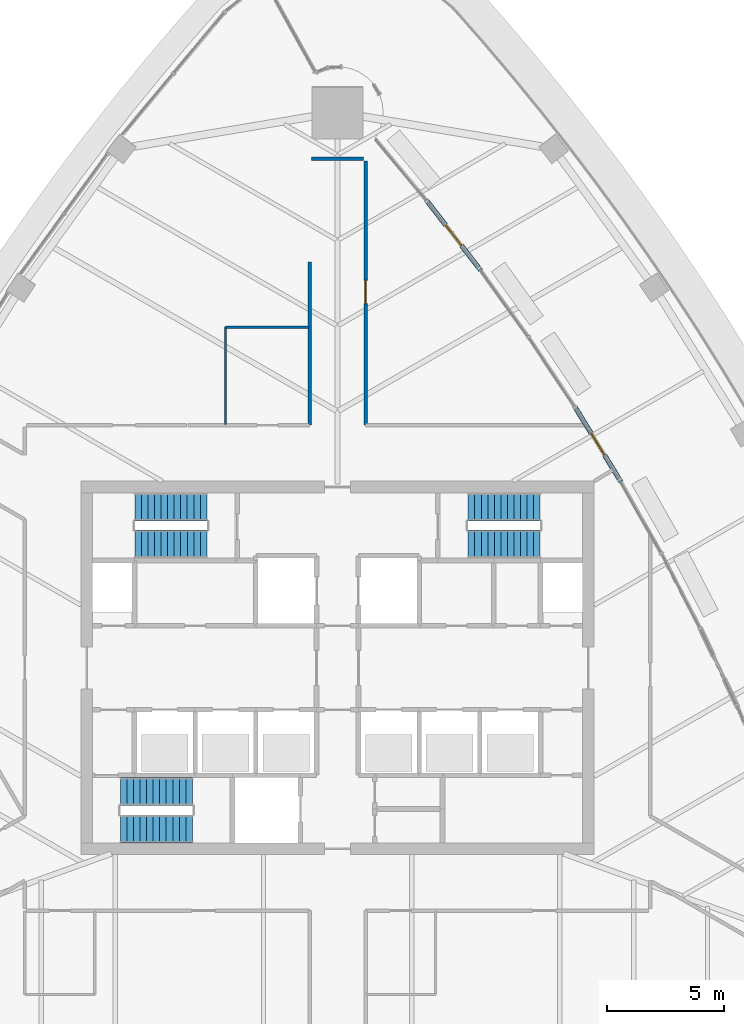
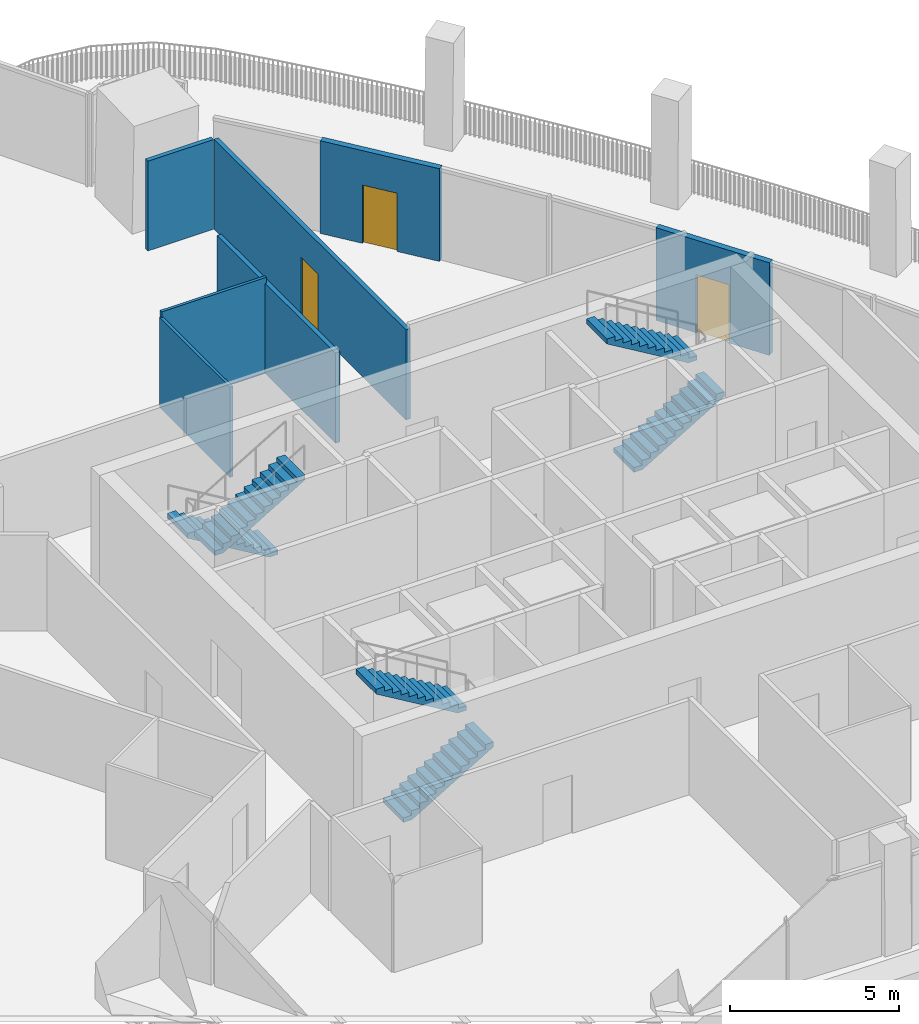
# One storey, part 13 of 18: 7 walls, 6 stair flights, 3 doors, 3 openings, 3 elements without a shape of their own.
"""IFC4 building model written with IfcOpenShell, lengths in metres."""

from ifc_helpers import new_model, si_unit, direction, frame, frame_2d, origin, place, context, subcontext, project, spatial, polyline, rectangle, outline, extrude, material, layer, layer_set, type_object, element, fill, aggregate, save


model = new_model("IFC4")

# Units and contexts
model_context = context("Model", 3, precision=1e-05, world=origin(), true_north=direction((0.0, 1.0)))
body_context = subcontext(model_context, "Body", "Model", "MODEL_VIEW")
ifc_project = project(units=[si_unit("LENGTHUNIT", "METRE"), si_unit("AREAUNIT", "SQUARE_METRE"), si_unit("VOLUMEUNIT", "CUBIC_METRE"), si_unit("PLANEANGLEUNIT", "RADIAN"), si_unit("MASSUNIT", "GRAM", prefix="KILO")], contexts=[model_context])

# Site, building, storey
site_placement = place(None, origin())
site = spatial("IfcSite", under=ifc_project, at=site_placement, CompositionType="ELEMENT")
building_placement = place(site_placement, origin())
building = spatial("IfcBuilding", under=site, at=building_placement, Name="Sierra Prisma Convention Tower", CompositionType="ELEMENT")
storey_placement = place(building_placement, frame((0.0, 0.0, 291.0)))
storey = spatial("IfcBuildingStorey", under=building, at=storey_placement, Name="L66", CompositionType="ELEMENT", Elevation=291.0)

# Walls
ifc_material_1 = material(Name="Gypsum board partition", Category="gypsum")
ifc_layer_1 = layer(ifc_material_1, 0.10009765625)
ifc_layer_set_1 = layer_set([ifc_layer_1], Name="Bathroom partition 100")
wall_type_1 = type_object("IfcWallType", Name="Bathroom partition 100", PredefinedType="PARTITIONING", material=ifc_layer_set_1)
wall_1_placement = place(storey_placement, frame((-4.800048828125, 10.429931640625, 0.0), z_axis=(0.0, 0.0, 1.0), x_axis=(0.0, 1.0, 0.0)))
element("IfcWall", 1, at=wall_1_placement, inside=storey, type_object=wall_type_1, Name="Partition L66 bath 6", PredefinedType="PARTITIONING", context=body_context, shape_type="SweptSolid", body=[
    extrude(rectangle(XDim=4.170166015625, YDim=0.10009765625, at=frame_2d((2.0849609375, 0.0))), origin(), (0.0, 0.0, 1.0), 3.2470703125),
])
wall_2_placement = place(storey_placement, frame((-4.800048828125, 14.60009765625, 0.0), z_axis=(0.0, 0.0, 1.0), x_axis=(1.0, 0.0, 0.0)))
element("IfcWall", 2, at=wall_2_placement, inside=storey, type_object=wall_type_1, Name="Partition L66 bath 7", PredefinedType="PARTITIONING", context=body_context, shape_type="SweptSolid", body=[
    extrude(rectangle(XDim=3.570068359375, YDim=0.10009765625, at=frame_2d((1.78515625, 0.0))), origin(), (0.0, 0.0, 1.0), 3.449951171875),
])
ifc_material_2 = material(Name="Gypsum board partition", Category="gypsum")
ifc_layer_2 = layer(ifc_material_2, 0.14990234375)
ifc_layer_set_2 = layer_set([ifc_layer_2], Name="Corridor wall 150 gypsum EI 60")
wall_type_2 = type_object("IfcWallType", Name="Corridor wall 150 gypsum EI 60", PredefinedType="PARTITIONING", material=ifc_layer_set_2)
wall_3_placement = place(storey_placement, frame((-1.199951171875, 17.39990234375, 0.0), z_axis=(0.0, 0.0, 1.0), x_axis=(0.0, -1.0, 0.0)))
element("IfcWall", 3, at=wall_3_placement, inside=storey, type_object=wall_type_2, Name="Partition L66 corr 13", PredefinedType="PARTITIONING", context=body_context, shape_type="SweptSolid", body=[
    extrude(rectangle(XDim=7.0, YDim=0.14990234375, at=frame_2d((3.5, 0.0))), origin(), (0.0, 0.0, 1.0), 3.2470703125),
])
wall_4_placement = place(storey_placement, frame((1.1201171875, 21.8125, 0.0), z_axis=(0.0, 0.0, 1.0), x_axis=(-1.0, 0.0, 0.0)))
element("IfcWall", 4, at=wall_4_placement, inside=storey, type_object=wall_type_2, Name="Partition L66 corr 16", PredefinedType="PARTITIONING", context=body_context, shape_type="SweptSolid", body=[
    extrude(rectangle(XDim=2.240234375, YDim=0.14990234375, at=frame_2d((1.1201171875, 0.0))), origin(), (0.0, 0.0, 1.0), 3.23291015625),
])

# Wall, opening, door
wall_5_placement = place(storey_placement, frame((1.199951171875, 10.39990234375, 0.0), z_axis=(0.0, 0.0, 1.0), x_axis=(0.0, 1.0, 0.0)))
wall_5 = element("IfcWall", 5, at=wall_5_placement, inside=storey, type_object=wall_type_2, Name="Partition L66 corr 20", PredefinedType="PARTITIONING", context=body_context, shape_type="SweptSolid", body=[
    extrude(rectangle(XDim=11.33251953125, YDim=0.14990234375, at=frame_2d((5.666259765625, 0.0))), origin(), (0.0, 0.0, 1.0), 3.2470703125),
])
opening_1_placement = place(wall_5_placement, frame((5.206298828125, 0.0, 0.0)))
opening_1 = element("IfcOpeningElement", 6, at=opening_1_placement, cuts=wall_5, Name="Opening L66-D030", PredefinedType="OPENING", context=body_context, shape_type="SweptSolid", body=[
    extrude(rectangle(XDim=1.0, YDim=2.10009765625, at=frame_2d((0.5, 1.050048828125))), frame((0.0, 0.074951171875, 0.0), z_axis=(0.0, -1.0, 0.0), x_axis=(1.0, 0.0, 0.0)), (0.0, 0.0, 1.0), 0.14990234375),
])
ifc_material_3 = material(Name="Steel fire door leaf", Category="steel")
door_type_1 = type_object("IfcDoorType", Name="Door 1000x2100 FD30S", OperationType="SINGLE_SWING_LEFT", PredefinedType="DOOR", material=ifc_material_3)
door_1_placement = place(opening_1_placement, origin())
door_1 = element("IfcDoor", 7, at=door_1_placement, inside=storey, type_object=door_type_1, Name="Door L66 1", OperationType="SINGLE_SWING_RIGHT", OverallHeight=2.10009765625, OverallWidth=1.0, PredefinedType="DOOR", context=body_context, shape_type="SweptSolid", body=[
    extrude(rectangle(XDim=1.0, YDim=2.10009765625, at=frame_2d((0.5, 1.050048828125))), frame((0.0, 0.02490234375, 0.0), z_axis=(0.0, -1.0, 0.0), x_axis=(1.0, 0.0, 0.0)), (0.0, 0.0, 1.0), 0.050048828125),
])
fill(opening_1, door_1)

ifc_material_4 = material(Name="Precast concrete C40/50", Category="concrete")
ifc_layer_3 = layer(ifc_material_4, 0.199951171875)
ifc_layer_set_3 = layer_set([ifc_layer_3], Name="Terrace door pier")
wall_type_3 = type_object("IfcWallType", Name="Terrace door pier", PredefinedType="SOLIDWALL", material=ifc_layer_set_3)
wall_6_placement = place(storey_placement, frame((12.1533203125, 7.96044921875, 0.0), z_axis=(0.0, 0.0, 1.0), x_axis=(-0.523170739685, 0.852227890378, 0.0)))
wall_6 = element("IfcWall", 8, at=wall_6_placement, inside=storey, type_object=wall_type_3, Name="Terrace door bay L66.6", PredefinedType="SOLIDWALL", context=body_context, shape_type="SweptSolid", body=[
    extrude(rectangle(XDim=3.808349609375, YDim=0.199951171875, at=frame_2d((1.904296875, 0.0))), origin(), (0.0, 0.0, 1.0), 3.340087890625),
])
opening_2_placement = place(wall_6_placement, frame((1.354248046875, 0.0, 0.0)))
opening_2 = element("IfcOpeningElement", 9, at=opening_2_placement, cuts=wall_6, Name="Opening L66-D002", PredefinedType="OPENING", context=body_context, shape_type="SweptSolid", body=[
    extrude(rectangle(XDim=1.10009765625, YDim=2.10009765625, at=frame_2d((0.550048828125, 1.050048828125))), frame((0.0, 0.10009765625, 0.0), z_axis=(0.0, -1.0, 0.0), x_axis=(1.0, 0.0, 0.0)), (0.0, 0.0, 1.0), 0.199951171875),
])
ifc_material_5 = material(Name="Bronze anodised aluminium and glass", Category="aluminium")
door_type_2 = type_object("IfcDoorType", Name="Terrace door 1100 x 2100", OperationType="SINGLE_SWING_LEFT", PredefinedType="DOOR", material=ifc_material_5)
door_2_placement = place(opening_2_placement, origin())
door_2 = element("IfcDoor", 10, at=door_2_placement, inside=storey, type_object=door_type_2, Name="Terrace door L66.6", OperationType="SINGLE_SWING_LEFT", OverallHeight=2.10009765625, OverallWidth=1.10009765625, PredefinedType="DOOR", context=body_context, shape_type="SweptSolid", body=[
    extrude(rectangle(XDim=1.10009765625, YDim=2.10009765625, at=frame_2d((0.550048828125, 1.050048828125))), frame((0.0, 0.02490234375, 0.0), z_axis=(0.0, -1.0, 0.0), x_axis=(1.0, 0.0, 0.0)), (0.0, 0.0, 1.0), 0.050048828125),
])
fill(opening_2, door_2)

wall_7_placement = place(storey_placement, frame((6.1396484375, 17.02880859375, 0.0), z_axis=(0.0, 0.0, 1.0), x_axis=(-0.611750315338, 0.791050915987, 0.0)))
wall_7 = element("IfcWall", 11, at=wall_7_placement, inside=storey, type_object=wall_type_3, Name="Terrace door bay L66.9", PredefinedType="SOLIDWALL", context=body_context, shape_type="SweptSolid", body=[
    extrude(rectangle(XDim=3.80859375, YDim=0.199951171875, at=frame_2d((1.904296875, 0.0))), origin(), (0.0, 0.0, 1.0), 3.340087890625),
])
opening_3_placement = place(wall_7_placement, frame((1.354248046875, 0.0, 0.0)))
opening_3 = element("IfcOpeningElement", 12, at=opening_3_placement, cuts=wall_7, Name="Opening L66-D003", PredefinedType="OPENING", context=body_context, shape_type="SweptSolid", body=[
    extrude(rectangle(XDim=1.10009765625, YDim=2.10009765625, at=frame_2d((0.550048828125, 1.050048828125))), frame((0.0, 0.10009765625, 0.0), z_axis=(0.0, -1.0, 0.0), x_axis=(1.0, 0.0, 0.0)), (0.0, 0.0, 1.0), 0.199951171875),
])
door_3_placement = place(opening_3_placement, origin())
door_3 = element("IfcDoor", 13, at=door_3_placement, inside=storey, type_object=door_type_2, Name="Terrace door L66.9", OperationType="SINGLE_SWING_LEFT", OverallHeight=2.10009765625, OverallWidth=1.10009765625, PredefinedType="DOOR", context=body_context, shape_type="SweptSolid", body=[
    extrude(rectangle(XDim=1.10009765625, YDim=2.10009765625, at=frame_2d((0.550048828125, 1.050048828125))), frame((0.0, 0.02490234375, 0.0), z_axis=(0.0, -1.0, 0.0), x_axis=(1.0, 0.0, 0.0)), (0.0, 0.0, 1.0), 0.050048828125),
])
fill(opening_3, door_3)

# Stair, stair flights
ifc_material_6 = material(Name="Concrete C30/37", Category="concrete")
stair_type = type_object("IfcStairType", Name="Stair dog-leg 1200 RC", PredefinedType="HALF_TURN_STAIR", material=ifc_material_6)
stair_1_placement = place(storey_placement, origin())
stair_1 = element("IfcStair", 14, at=stair_1_placement, inside=storey, type_object=stair_type, Name="L66 S1", PredefinedType="HALF_TURN_STAIR")
ifc_material_7 = material(Name="Concrete C30/37", Category="concrete")
stair_flight_type = type_object("IfcStairFlightType", Name="Stair flight RC 1200", PredefinedType="STRAIGHT", material=ifc_material_7)
stair_flight_1_placement = place(storey_placement, frame((-9.300048828125, -6.89990234375, 0.0), z_axis=(0.0, 0.0, 1.0), x_axis=(1.0, 0.0, 0.0)))
stair_flight_1 = element("IfcStairFlight", 15, at=stair_flight_1_placement, type_object=stair_flight_type, Name="S1 flight 1", NumberOfRisers=12, NumberOfTreads=11, PredefinedType="STRAIGHT", RiserHeight=0.166666667, TreadLength=0.28, context=body_context, shape_type="SweptSolid", body=[
    extrude(outline(polyline([(0.0, 0.0), (0.0, 0.166748046875), (0.280029296875, 0.166748046875), (0.280029296875, 0.333251953125), (0.56005859375, 0.333251953125), (0.56005859375, 0.5), (0.840087890625, 0.5), (0.840087890625, 0.666748046875), (1.1201171875, 0.666748046875), (1.1201171875, 0.833251953125), (1.39990234375, 0.833251953125), (1.39990234375, 1.0), (1.679931640625, 1.0), (1.679931640625, 1.166748046875), (1.9599609375, 1.166748046875), (1.9599609375, 1.333251953125), (2.239990234375, 1.333251953125), (2.239990234375, 1.5), (2.52001953125, 1.5), (2.52001953125, 1.666748046875), (2.800048828125, 1.666748046875), (2.800048828125, 1.833251953125), (3.080078125, 1.833251953125), (3.080078125, 2.0), (3.080078125, 1.658935546875), (0.29296875, 0.0), (0.0, 0.0)])), frame((0.0, 0.60009765625, 0.0), z_axis=(0.0, -1.0, 0.0), x_axis=(1.0, 0.0, 0.0)), (0.0, 0.0, 1.0), 1.199951171875),
])
stair_flight_2_placement = place(storey_placement, frame((-6.219970703125, -5.300048828125, 2.0), z_axis=(0.0, 0.0, 1.0), x_axis=(-1.0, 0.0, 0.0)))
stair_flight_2 = element("IfcStairFlight", 16, at=stair_flight_2_placement, type_object=stair_flight_type, Name="S1 flight 2", NumberOfRisers=12, NumberOfTreads=11, PredefinedType="STRAIGHT", RiserHeight=0.166666667, TreadLength=0.28, context=body_context, shape_type="SweptSolid", body=[
    extrude(outline(polyline([(0.0, 0.0), (0.0, 0.166748046875), (0.280029296875, 0.166748046875), (0.280029296875, 0.333251953125), (0.56005859375, 0.333251953125), (0.56005859375, 0.5), (0.840087890625, 0.5), (0.840087890625, 0.666748046875), (1.1201171875, 0.666748046875), (1.1201171875, 0.833251953125), (1.39990234375, 0.833251953125), (1.39990234375, 1.0), (1.679931640625, 1.0), (1.679931640625, 1.166748046875), (1.9599609375, 1.166748046875), (1.9599609375, 1.333251953125), (2.239990234375, 1.333251953125), (2.239990234375, 1.5), (2.52001953125, 1.5), (2.52001953125, 1.666748046875), (2.800048828125, 1.666748046875), (2.800048828125, 1.833251953125), (3.080078125, 1.833251953125), (3.080078125, 2.0), (3.080078125, 1.658935546875), (0.29296875, 0.0), (0.0, 0.0)])), frame((0.0, 0.60009765625, 0.0), z_axis=(0.0, -1.0, 0.0), x_axis=(1.0, 0.0, 0.0)), (0.0, 0.0, 1.0), 1.199951171875),
])
aggregate(stair_1, [stair_flight_1, stair_flight_2])

stair_2_placement = place(storey_placement, origin())
stair_2 = element("IfcStair", 17, at=stair_2_placement, inside=storey, type_object=stair_type, Name="L66 S3", PredefinedType="HALF_TURN_STAIR")
stair_flight_3_placement = place(storey_placement, frame((-5.60009765625, 6.89990234375, 0.0), z_axis=(0.0, 0.0, 1.0), x_axis=(-1.0, 0.0, 0.0)))
stair_flight_3 = element("IfcStairFlight", 18, at=stair_flight_3_placement, type_object=stair_flight_type, Name="S3 flight 1", NumberOfRisers=12, NumberOfTreads=11, PredefinedType="STRAIGHT", RiserHeight=0.166666667, TreadLength=0.28, context=body_context, shape_type="SweptSolid", body=[
    extrude(outline(polyline([(0.0, 0.0), (0.0, 0.166748046875), (0.280029296875, 0.166748046875), (0.280029296875, 0.333251953125), (0.56005859375, 0.333251953125), (0.56005859375, 0.5), (0.840087890625, 0.5), (0.840087890625, 0.666748046875), (1.1201171875, 0.666748046875), (1.1201171875, 0.833251953125), (1.39990234375, 0.833251953125), (1.39990234375, 1.0), (1.679931640625, 1.0), (1.679931640625, 1.166748046875), (1.9599609375, 1.166748046875), (1.9599609375, 1.333251953125), (2.239990234375, 1.333251953125), (2.239990234375, 1.5), (2.52001953125, 1.5), (2.52001953125, 1.666748046875), (2.800048828125, 1.666748046875), (2.800048828125, 1.833251953125), (3.080078125, 1.833251953125), (3.080078125, 2.0), (3.080078125, 1.658935546875), (0.29296875, 0.0), (0.0, 0.0)])), frame((0.0, 0.60009765625, 0.0), z_axis=(0.0, -1.0, 0.0), x_axis=(1.0, 0.0, 0.0)), (0.0, 0.0, 1.0), 1.199951171875),
])
stair_flight_4_placement = place(storey_placement, frame((-8.679931640625, 5.300048828125, 2.0), z_axis=(0.0, 0.0, 1.0), x_axis=(1.0, 0.0, 0.0)))
stair_flight_4 = element("IfcStairFlight", 19, at=stair_flight_4_placement, type_object=stair_flight_type, Name="S3 flight 2", NumberOfRisers=12, NumberOfTreads=11, PredefinedType="STRAIGHT", RiserHeight=0.166666667, TreadLength=0.28, context=body_context, shape_type="SweptSolid", body=[
    extrude(outline(polyline([(0.0, 0.0), (0.0, 0.166748046875), (0.280029296875, 0.166748046875), (0.280029296875, 0.333251953125), (0.56005859375, 0.333251953125), (0.56005859375, 0.5), (0.840087890625, 0.5), (0.840087890625, 0.666748046875), (1.1201171875, 0.666748046875), (1.1201171875, 0.833251953125), (1.39990234375, 0.833251953125), (1.39990234375, 1.0), (1.679931640625, 1.0), (1.679931640625, 1.166748046875), (1.9599609375, 1.166748046875), (1.9599609375, 1.333251953125), (2.239990234375, 1.333251953125), (2.239990234375, 1.5), (2.52001953125, 1.5), (2.52001953125, 1.666748046875), (2.800048828125, 1.666748046875), (2.800048828125, 1.833251953125), (3.080078125, 1.833251953125), (3.080078125, 2.0), (3.080078125, 1.658935546875), (0.29296875, 0.0), (0.0, 0.0)])), frame((0.0, 0.60009765625, 0.0), z_axis=(0.0, -1.0, 0.0), x_axis=(1.0, 0.0, 0.0)), (0.0, 0.0, 1.0), 1.199951171875),
])
aggregate(stair_2, [stair_flight_3, stair_flight_4])

stair_3_placement = place(storey_placement, origin())
stair_3 = element("IfcStair", 20, at=stair_3_placement, inside=storey, type_object=stair_type, Name="L66 S4", PredefinedType="HALF_TURN_STAIR")
stair_flight_5_placement = place(storey_placement, frame((5.60009765625, 5.300048828125, 0.0), z_axis=(0.0, 0.0, 1.0), x_axis=(1.0, 0.0, 0.0)))
stair_flight_5 = element("IfcStairFlight", 21, at=stair_flight_5_placement, type_object=stair_flight_type, Name="S4 flight 1", NumberOfRisers=12, NumberOfTreads=11, PredefinedType="STRAIGHT", RiserHeight=0.166666667, TreadLength=0.28, context=body_context, shape_type="SweptSolid", body=[
    extrude(outline(polyline([(0.0, 0.0), (0.0, 0.166748046875), (0.280029296875, 0.166748046875), (0.280029296875, 0.333251953125), (0.56005859375, 0.333251953125), (0.56005859375, 0.5), (0.840087890625, 0.5), (0.840087890625, 0.666748046875), (1.1201171875, 0.666748046875), (1.1201171875, 0.833251953125), (1.39990234375, 0.833251953125), (1.39990234375, 1.0), (1.679931640625, 1.0), (1.679931640625, 1.166748046875), (1.9599609375, 1.166748046875), (1.9599609375, 1.333251953125), (2.239990234375, 1.333251953125), (2.239990234375, 1.5), (2.52001953125, 1.5), (2.52001953125, 1.666748046875), (2.800048828125, 1.666748046875), (2.800048828125, 1.833251953125), (3.080078125, 1.833251953125), (3.080078125, 2.0), (3.080078125, 1.658935546875), (0.29296875, 0.0), (0.0, 0.0)])), frame((0.0, 0.60009765625, 0.0), z_axis=(0.0, -1.0, 0.0), x_axis=(1.0, 0.0, 0.0)), (0.0, 0.0, 1.0), 1.199951171875),
])
stair_flight_6_placement = place(storey_placement, frame((8.679931640625, 6.89990234375, 2.0), z_axis=(0.0, 0.0, 1.0), x_axis=(-1.0, 0.0, 0.0)))
stair_flight_6 = element("IfcStairFlight", 22, at=stair_flight_6_placement, type_object=stair_flight_type, Name="S4 flight 2", NumberOfRisers=12, NumberOfTreads=11, PredefinedType="STRAIGHT", RiserHeight=0.166666667, TreadLength=0.28, context=body_context, shape_type="SweptSolid", body=[
    extrude(outline(polyline([(0.0, 0.0), (0.0, 0.166748046875), (0.280029296875, 0.166748046875), (0.280029296875, 0.333251953125), (0.56005859375, 0.333251953125), (0.56005859375, 0.5), (0.840087890625, 0.5), (0.840087890625, 0.666748046875), (1.1201171875, 0.666748046875), (1.1201171875, 0.833251953125), (1.39990234375, 0.833251953125), (1.39990234375, 1.0), (1.679931640625, 1.0), (1.679931640625, 1.166748046875), (1.9599609375, 1.166748046875), (1.9599609375, 1.333251953125), (2.239990234375, 1.333251953125), (2.239990234375, 1.5), (2.52001953125, 1.5), (2.52001953125, 1.666748046875), (2.800048828125, 1.666748046875), (2.800048828125, 1.833251953125), (3.080078125, 1.833251953125), (3.080078125, 2.0), (3.080078125, 1.658935546875), (0.29296875, 0.0), (0.0, 0.0)])), frame((0.0, 0.60009765625, 0.0), z_axis=(0.0, -1.0, 0.0), x_axis=(1.0, 0.0, 0.0)), (0.0, 0.0, 1.0), 1.199951171875),
])
aggregate(stair_3, [stair_flight_5, stair_flight_6])

save(model, "model.ifc")
